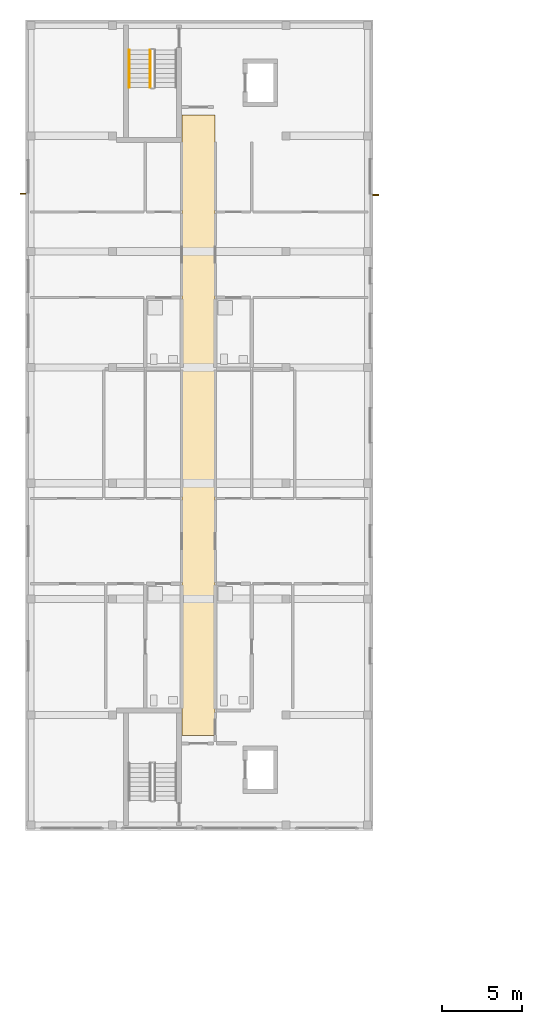
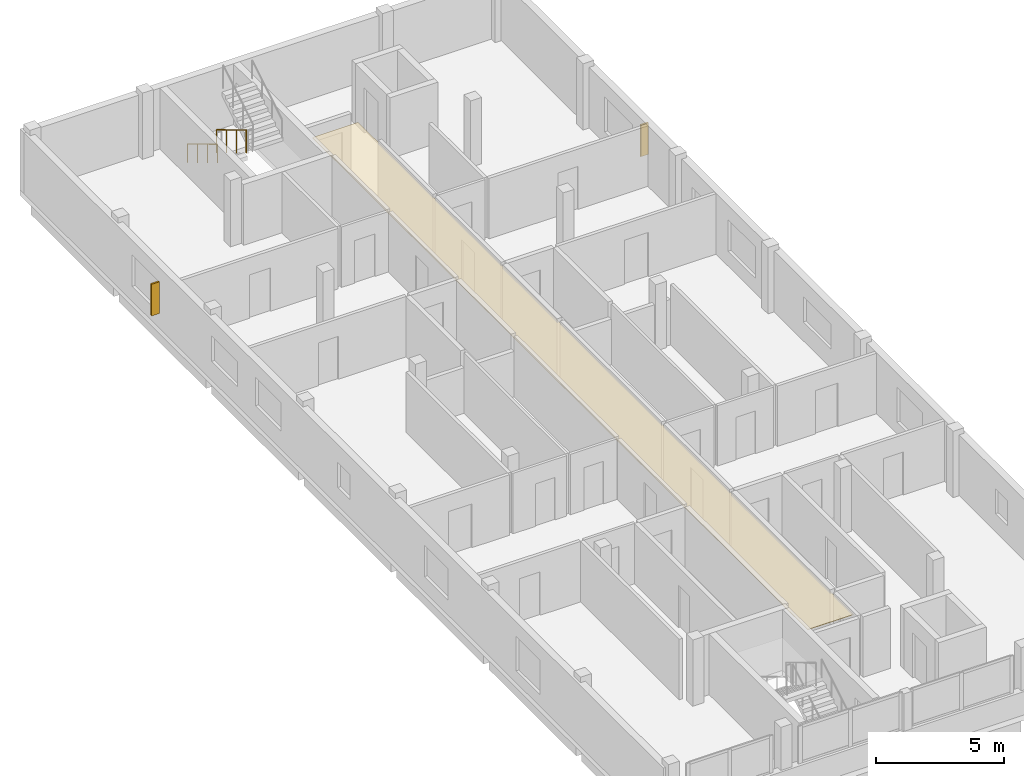
# One storey, part 21 of 28: 2 railings, 2 shading devices, 1 covering.
"""IFC4 building model written with IfcOpenShell, lengths in metres."""

from ifc_helpers import new_model, si_unit, derived_unit, direction, frame, origin, origin_2d, place, context, subcontext, project, spatial, polyline, rectangle, circle, outline, extrude, material, layer, layer_set, type_object, element, save


model = new_model("IFC4")

# Units and contexts
model_context = context("Model", 3, precision=1e-05, world=origin(), true_north=direction((0.0, 1.0)))
body_context = subcontext(model_context, "Body", "Model", "MODEL_VIEW")
ifc_project = project(units=[si_unit("LENGTHUNIT", "METRE"), si_unit("AREAUNIT", "SQUARE_METRE"), si_unit("VOLUMEUNIT", "CUBIC_METRE"), si_unit("PLANEANGLEUNIT", "RADIAN"), si_unit("MASSUNIT", "GRAM", prefix="KILO"), derived_unit("THERMALTRANSMITTANCEUNIT", [(si_unit("MASSUNIT", "GRAM", prefix="KILO"), 1), (si_unit("TIMEUNIT", "SECOND"), -3), (si_unit("THERMODYNAMICTEMPERATUREUNIT", "KELVIN"), -1)])], contexts=[model_context])

# Site, building, storey
site_placement = place(None, origin())
site = spatial("IfcSite", under=ifc_project, at=site_placement, CompositionType="ELEMENT")
building_placement = place(site_placement, origin())
building = spatial("IfcBuilding", under=site, at=building_placement, Name="Ochrekiln Boulevard Commons", CompositionType="ELEMENT")
storey_placement = place(building_placement, frame((0.0, 0.0, 34.125)))
storey = spatial("IfcBuildingStorey", under=building, at=storey_placement, Name="L10", CompositionType="ELEMENT", Elevation=34.125)

# Covering
ifc_material_1 = material(Name="Mineral-fibre acoustic ceiling tile")
ifc_layer = layer(ifc_material_1, 0.02490234375)
ifc_layer_set = layer_set([ifc_layer], Name="Mineral-fibre acoustic ceiling tile")
covering_type = type_object("IfcCoveringType", Name="COV-CEIL-AC", PredefinedType="CEILING", material=ifc_layer_set)
covering_placement = place(storey_placement, frame((0.0, 0.0, 2.64990234375)))
element("IfcCovering", 1, at=covering_placement, inside=storey, type_object=covering_type, Name="L10 Acoustic Corridor Ceiling 66", PredefinedType="CEILING", context=body_context, shape_type="SweptSolid", body=[
    extrude(outline(polyline([(9.719970703125, 74.320068359375), (11.780029296875, 74.320068359375), (11.780029296875, 112.8798828125), (9.719970703125, 112.8798828125), (9.719970703125, 74.320068359375)])), origin(), (0.0, 0.0, 1.0), 0.025146484375),
])

# Railings
ifc_material_2 = material(Name="Brushed stainless steel 316 tubular railing", Category="steel")
railing_type_1 = type_object("IfcRailingType", Name="RLG-HDR-900", PredefinedType="HANDRAIL", material=ifc_material_2)
railing_1_placement = place(storey_placement, frame((6.449951171875, 116.929931640625, 0.175048828125)))
element("IfcRailing", 2, at=railing_1_placement, inside=storey, type_object=railing_type_1, Name="L10 ST-A2 stair handrail 1", PredefinedType="HANDRAIL", context=body_context, shape_type="SweptSolid", body=[
    extrude(circle(Radius=0.02392578125, at=origin_2d()), frame((0.0, 0.0, 0.8759765625), z_axis=(0.0, -0.856186286599, 0.516667245565), x_axis=(1.0, 0.0, 0.0)), (0.0, 0.0, 1.0), 2.70947265625),
    extrude(circle(Radius=0.02099609375, at=origin_2d()), origin(), (0.0, 0.0, 1.0), 0.851806640625),
    extrude(circle(Radius=0.02099609375, at=origin_2d()), frame((0.0, -0.773193359375, 0.466552734375)), (0.0, 0.0, 1.0), 0.851806640625),
    extrude(circle(Radius=0.02099609375, at=origin_2d()), frame((0.0, -1.546630859375, 0.933349609375)), (0.0, 0.0, 1.0), 0.851806640625),
    extrude(circle(Radius=0.02099609375, at=origin_2d()), frame((0.0, -2.31982421875, 1.39990234375)), (0.0, 0.0, 1.0), 0.851806640625),
])
railing_type_2 = type_object("IfcRailingType", Name="RLG-STR-1120", PredefinedType="BALUSTRADE", material=ifc_material_2)
railing_2_placement = place(storey_placement, frame((7.75, 116.929931640625, 0.175048828125)))
element("IfcRailing", 3, at=railing_2_placement, inside=storey, type_object=railing_type_2, Name="L10 ST-A2 stair guard 1", PredefinedType="BALUSTRADE", context=body_context, shape_type="SweptSolid", body=[
    extrude(circle(Radius=0.02392578125, at=origin_2d()), frame((0.0, 0.0, 1.09619140625), z_axis=(0.0, -0.856186286599, 0.516667245565), x_axis=(1.0, 0.0, 0.0)), (0.0, 0.0, 1.0), 2.70947265625),
    extrude(circle(Radius=0.02099609375, at=origin_2d()), origin(), (0.0, 0.0, 1.0), 1.072021484375),
    extrude(circle(Radius=0.02099609375, at=origin_2d()), frame((0.0, -0.773193359375, 0.466552734375)), (0.0, 0.0, 1.0), 1.072021484375),
    extrude(circle(Radius=0.02099609375, at=origin_2d()), frame((0.0, -1.546630859375, 0.933349609375)), (0.0, 0.0, 1.0), 1.072021484375),
    extrude(circle(Radius=0.02099609375, at=origin_2d()), frame((0.0, -2.31982421875, 1.39990234375)), (0.0, 0.0, 1.0), 1.072021484375),
])

# Shading devices
ifc_material_3 = material(Name="Glazed architectural terracotta ASTM C1405", Category="masonry")
shading_device_type = type_object("IfcShadingDeviceType", Name="SHD-FIN-TERRA", PredefinedType="JALOUSIE", material=ifc_material_3)
for number, where, z_axis, x_axis, name in (
    (4, (-0.169921875, 107.991943359375, 0.705078125), (0.0, 0.0, 1.0), (1.0, 0.0, 0.0), "Terracotta Solar Shading Fin SF-01 (18)"),
    (5, (21.77001953125, 107.916015625, 0.6298828125), (0.0, 0.0, 1.0), (1.0, 0.0, 0.0), "Terracotta Solar Shading Fin SF-01 (19)"),
):
    element("IfcShadingDevice", number, at=place(storey_placement, frame(where, z_axis=z_axis, x_axis=x_axis)), inside=storey, type_object=shading_device_type, Name=name, PredefinedType="JALOUSIE", context=body_context, shape_type="SweptSolid", body=[
        extrude(rectangle(XDim=0.35009765625, YDim=0.080078125, at=origin_2d()), origin(), (0.0, 0.0, 1.0), 1.5),
    ])

save(model, "model.ifc")
